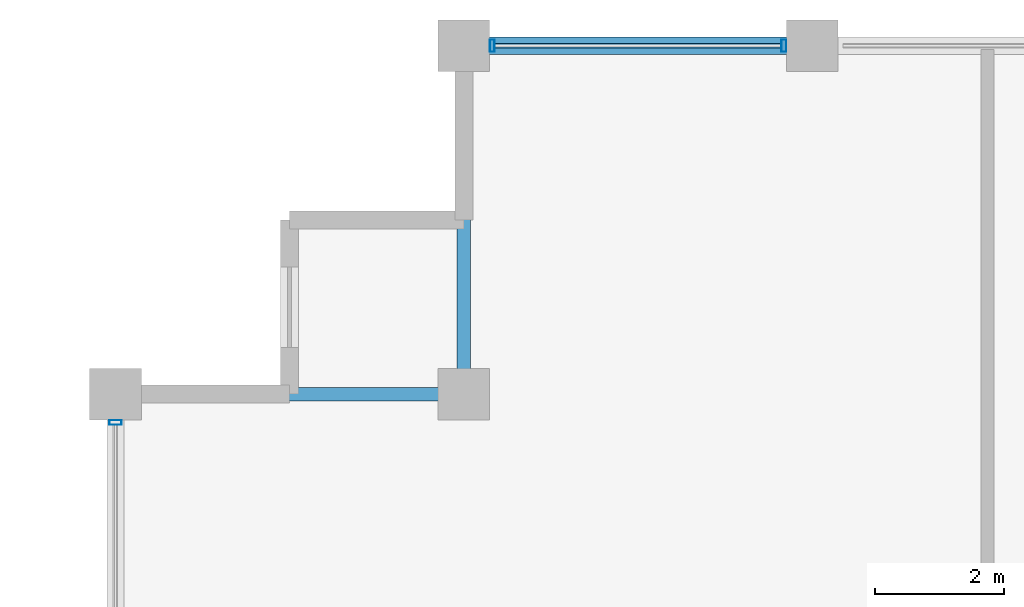
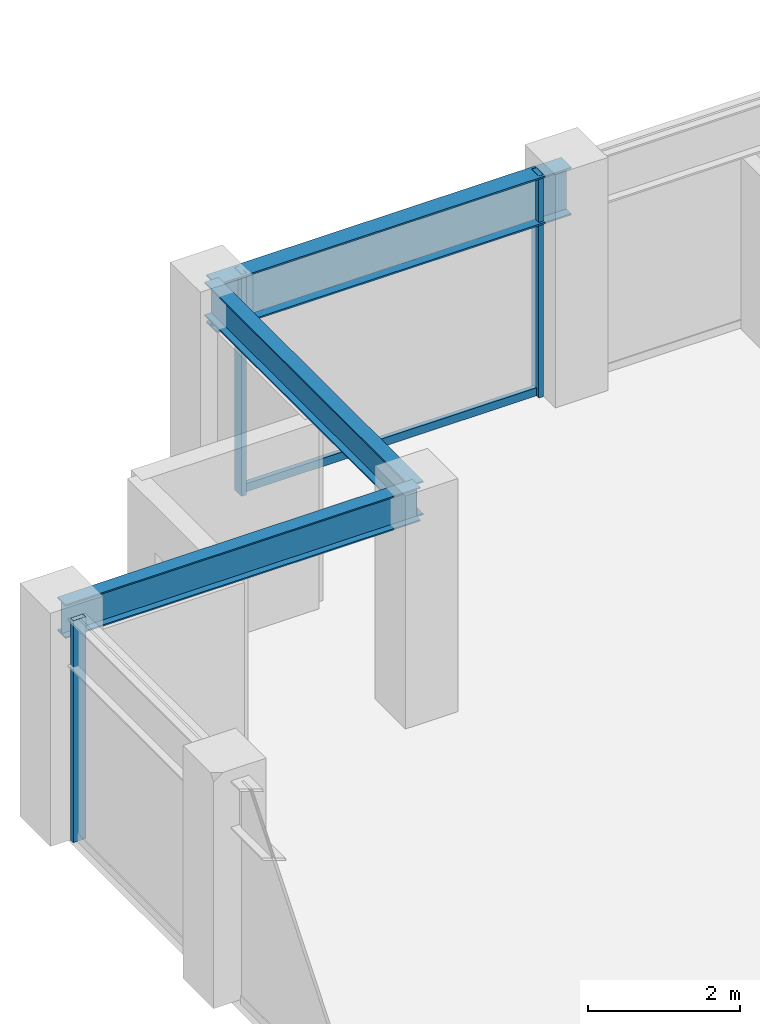
# One storey, part 18 of 32: 4 members, 3 beams, 2 elements without a shape of their own.
"""IFC4 building model written with IfcOpenShell, lengths in metres."""

from ifc_helpers import new_model, si_unit, direction, frame, origin, origin_2d, place, context, subcontext, project, spatial, hollow_rectangle, i_section, extrude, material, layer, layer_set, material_profile, profile_set, type_object, element, aggregate, save


model = new_model("IFC4")

# Units and contexts
model_context = context("Model", 3, precision=1e-05, world=origin(), true_north=direction((0.0, 1.0)))
body_context = subcontext(model_context, "Body", "Model", "MODEL_VIEW")
ifc_project = project(units=[si_unit("LENGTHUNIT", "METRE"), si_unit("AREAUNIT", "SQUARE_METRE"), si_unit("VOLUMEUNIT", "CUBIC_METRE"), si_unit("PLANEANGLEUNIT", "RADIAN"), si_unit("MASSUNIT", "GRAM", prefix="KILO")], contexts=[model_context])

# Site, building, storey
site_placement = place(None, origin())
site = spatial("IfcSite", under=ifc_project, at=site_placement, CompositionType="ELEMENT")
building_placement = place(site_placement, origin())
building = spatial("IfcBuilding", under=site, at=building_placement, Name="Surkhivell Harbour Commons", CompositionType="ELEMENT")
storey_placement = place(building_placement, frame((0.0, 0.0, 234.75)))
storey = spatial("IfcBuildingStorey", under=building, at=storey_placement, Name="L61", CompositionType="ELEMENT", Elevation=234.75)

# Beams
ifc_material_1 = material(Name="Steel S355", Category="steel")
ifc_material_profile_1 = material_profile(ifc_material_1, i_section(OverallWidth=0.2119140625, OverallDepth=0.5439453125, WebThickness=0.0126953125, FlangeThickness=0.021240234375, at=origin_2d()), Name="UB533x210x122")
ifc_profile_set_1 = profile_set([ifc_material_profile_1], Name="Steel S355")
beam_type_1 = type_object("IfcBeamType", Name="BM-GRD-533A", PredefinedType="BEAM", material=ifc_profile_set_1)
for number, where, z_axis, x_axis, name in (
    (1, (-27.0, 20.5, 3.298095703125), (1.0, 0.0, 0.0), (0.0, 1.0, 0.0), "L61 Floor Girder (-27.0,20.5)"),
    (2, (-21.60009765625, 20.5, 3.298095703125), (0.0, 1.0, 0.0), (-1.0, 0.0, 0.0), "L61 Floor Girder (-21.6,20.5)"),
):
    element("IfcBeam", number, at=place(storey_placement, frame(where, z_axis=z_axis, x_axis=x_axis)), inside=storey, type_object=beam_type_1, Name=name, PredefinedType="BEAM", context=body_context, shape_type="SweptSolid", body=[
        extrude(i_section(OverallWidth=0.2119140625, OverallDepth=0.5439453125, WebThickness=0.0126953125, FlangeThickness=0.021240234375, at=origin_2d()), origin(), (0.0, 0.0, 1.0), 5.39990234375),
    ])
ifc_material_profile_2 = material_profile(ifc_material_1, i_section(OverallWidth=0.26806640625, OverallDepth=0.77001953125, WebThickness=0.015625, FlangeThickness=0.025390625, at=origin_2d()), Name="UB762x267x197")
ifc_profile_set_2 = profile_set([ifc_material_profile_2], Name="Steel S355")
beam_type_2 = type_object("IfcBeamType", Name="BM-SPN-762", PredefinedType="SPANDREL", material=ifc_profile_set_2)
beam_placement = place(storey_placement, frame((-21.60009765625, 25.89990234375, 3.18505859375), z_axis=(1.0, 0.0, 0.0), x_axis=(0.0, 1.0, 0.0)))
element("IfcBeam", 3, at=beam_placement, inside=storey, type_object=beam_type_2, Name="L61 Tube Spandrel (-21.6,25.9)", PredefinedType="SPANDREL", context=body_context, shape_type="SweptSolid", body=[
    extrude(i_section(OverallWidth=0.26806640625, OverallDepth=0.77001953125, WebThickness=0.015625, FlangeThickness=0.025390625, at=origin_2d()), origin(), (0.0, 0.0, 1.0), 5.400146484375),
])

# Curtain wall, members
ifc_material_2 = material(Name="Anodised pale-metal aluminium and insulated glazing", Category="aluminium")
ifc_layer = layer(ifc_material_2, 0.18994140625)
ifc_layer_set = layer_set([ifc_layer], Name="Anodised pale-metal aluminium and insulated glazing")
curtain_wall_type = type_object("IfcCurtainWallType", Name="CW-SYS-Z3", PredefinedType="NOTDEFINED", material=ifc_layer_set)
curtain_wall_1_placement = place(storey_placement, origin())
curtain_wall_1 = element("IfcCurtainWall", 4, at=curtain_wall_1_placement, inside=storey, type_object=curtain_wall_type, Name="L61 Curtain Wall CW-L61-E07S2", PredefinedType="NOTDEFINED")
ifc_material_3 = material(Name="Anodised pale-metal aluminium alloy 6063-T6", Category="aluminium")
ifc_material_profile_3 = material_profile(ifc_material_3, hollow_rectangle(XDim=0.074951171875, YDim=0.18994140625, WallThickness=0.00390625, at=origin_2d()), Name="ALU-MULL-75x190")
ifc_profile_set_3 = profile_set([ifc_material_profile_3], Name="Anodised pale-metal aluminium alloy 6063-T6")
member_type_1 = type_object("IfcMemberType", Name="CWM-190", PredefinedType="MULLION", material=ifc_profile_set_3)
member_1_placement = place(storey_placement, frame((-16.639404296875, 25.89990234375, 0.0), z_axis=(0.0, 0.0, 1.0), x_axis=(-1.0, 0.0, 0.0)))
member_1 = element("IfcMember", 5, at=member_1_placement, type_object=member_type_1, Name="CW-Z3 mullion 3", PredefinedType="MULLION", context=body_context, shape_type="SweptSolid", body=[
    extrude(hollow_rectangle(XDim=0.074951171875, YDim=0.18994140625, WallThickness=0.00390625, at=origin_2d()), origin(), (0.0, 0.0, 1.0), 3.570068359375),
])
member_2_placement = place(storey_placement, frame((-21.160400390625, 25.89990234375, 0.0), z_axis=(0.0, 0.0, 1.0), x_axis=(-1.0, 0.0, 0.0)))
member_2 = element("IfcMember", 6, at=member_2_placement, type_object=member_type_1, Name="CW-Z3 mullion 4", PredefinedType="MULLION", context=body_context, shape_type="SweptSolid", body=[
    extrude(hollow_rectangle(XDim=0.074951171875, YDim=0.18994140625, WallThickness=0.00390625, at=origin_2d()), origin(), (0.0, 0.0, 1.0), 3.570068359375),
])

# Curtain wall, member
curtain_wall_2_placement = place(storey_placement, origin())
curtain_wall_2 = element("IfcCurtainWall", 7, at=curtain_wall_2_placement, inside=storey, type_object=curtain_wall_type, Name="L61 Curtain Wall CW-L61-E12R2", PredefinedType="NOTDEFINED")
member_3_placement = place(storey_placement, frame((-27.0, 20.060546875, 0.0), z_axis=(0.0, 0.0, 1.0), x_axis=(0.0, 1.0, 0.0)))
member_3 = element("IfcMember", 8, at=member_3_placement, type_object=member_type_1, Name="CW-Z3 mullion 4", PredefinedType="MULLION", context=body_context, shape_type="SweptSolid", body=[
    extrude(hollow_rectangle(XDim=0.074951171875, YDim=0.18994140625, WallThickness=0.00390625, at=origin_2d()), origin(), (0.0, 0.0, 1.0), 3.570068359375),
])
aggregate(curtain_wall_2, [member_3])

# Member
ifc_material_4 = material(Name="Champagne anodised aluminium alloy 6063-T6", Category="aluminium")
ifc_material_profile_4 = material_profile(ifc_material_4, hollow_rectangle(XDim=0.070068359375, YDim=0.1298828125, WallThickness=0.00341796875, at=origin_2d()), Name="ALU-TRAN-70x130")
ifc_profile_set_4 = profile_set([ifc_material_profile_4], Name="Champagne anodised aluminium alloy 6063-T6")
member_type_2 = type_object("IfcMemberType", Name="CWT-130", PredefinedType="USERDEFINED", material=ifc_profile_set_4)
member_4_placement = place(storey_placement, frame((-16.677001953125, 25.89990234375, 0.06494140625), z_axis=(-1.0, 0.0, 0.0), x_axis=(0.0, -1.0, 0.0)))
member_4 = element("IfcMember", 9, at=member_4_placement, type_object=member_type_2, Name="CW-Z3 transom 3.1", ObjectType="TRANSOM", PredefinedType="USERDEFINED", context=body_context, shape_type="SweptSolid", body=[
    extrude(hollow_rectangle(XDim=0.070068359375, YDim=0.1298828125, WallThickness=0.00341796875, at=origin_2d()), origin(), (0.0, 0.0, 1.0), 4.446044921875),
])

aggregate(curtain_wall_1, [member_1, member_2, member_4])

save(model, "model.ifc")
